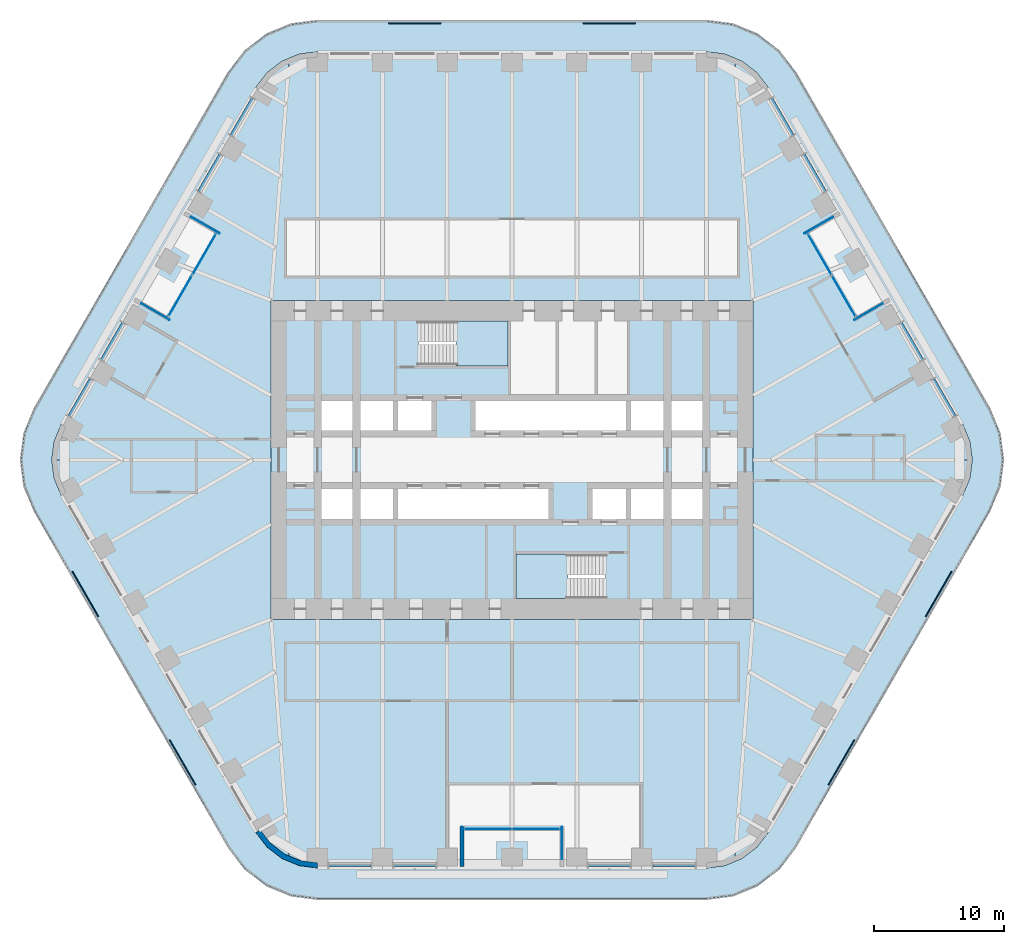
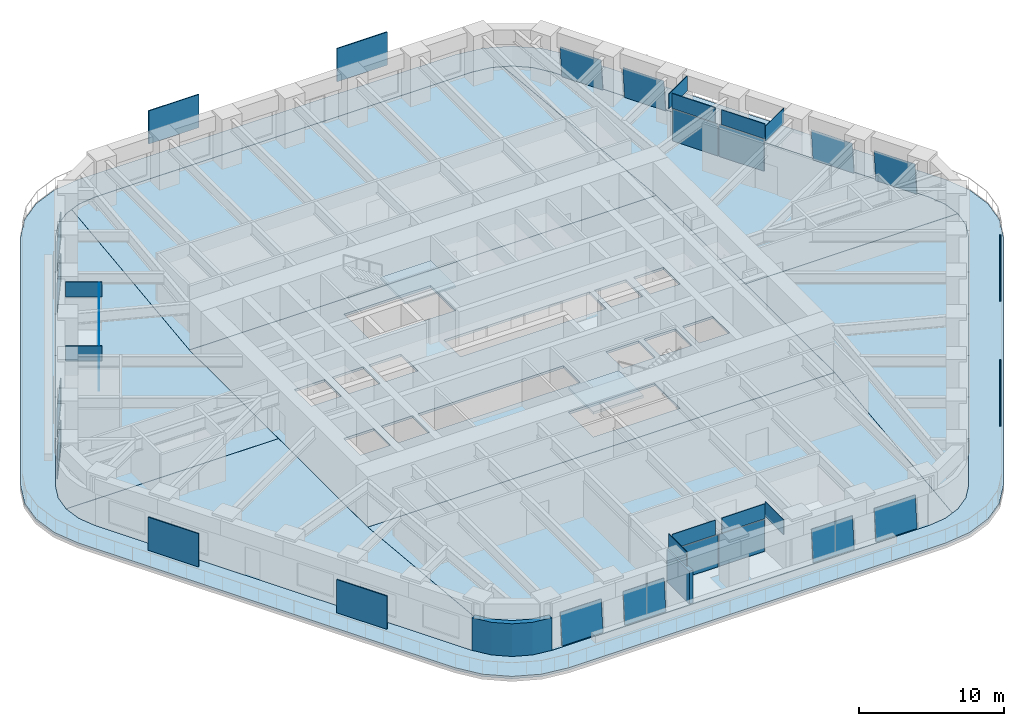
# One storey, part 16 of 24: 36 plates, 10 slabs, 2 walls, 17 elements without a shape of their own.
"""IFC4 building model written with IfcOpenShell, lengths in metres."""

import ifcopenshell
import ifcopenshell.guid

model = None  # the IFC model being written
_history = None  # IfcOwnerHistory: only IFC2X3 demands one
_inside = {}  # id of a spatial element -> (the spatial element, [elements in it])
_under = {}  # id of a project, library or spatial element -> (it, [spatial elements below it])
_declared = {}  # id of a project -> (the project, [libraries it declares])
_typed = {}  # id of a type object -> (the type object, [elements of that type])
_made_of = {}  # id of a material, layer set ... -> (it, [elements and type objects made of it])


def new_model(schema):
    """Start an empty IFC model of exactly this schema.

    Asked for "IFC4X3", IfcOpenShell would pick the latest addendum, in which some entities
    have other attributes; the version numbers below select the first issue.
    IFC2X3 requires an IfcOwnerHistory on every rooted entity: one is made here for all.
    """
    global model, _history
    if schema == "IFC4X3":
        model = ifcopenshell.file(schema_version=(4, 3, 0, 0))
    else:
        model = ifcopenshell.file(schema=schema)
    _inside.clear()
    _under.clear()
    _declared.clear()
    _typed.clear()
    _made_of.clear()
    _history = None
    if model.schema == "IFC2X3":
        org = make("IfcOrganization", Name="unknown")
        user = make(
            "IfcPersonAndOrganization",
            ThePerson=make("IfcPerson", FamilyName="unknown"),
            TheOrganization=org,
        )
        app = make(
            "IfcApplication",
            ApplicationDeveloper=org,
            Version="unknown",
            ApplicationFullName="unknown",
            ApplicationIdentifier="unknown",
        )
        _history = make(
            "IfcOwnerHistory",
            OwningUser=user,
            OwningApplication=app,
            ChangeAction="ADDED",
            CreationDate=0,
        )
    return model


def make(cls, **values):
    """One entity of the class cls with the attributes given. An attribute that is None is left unset."""
    return model.create_entity(
        cls, **{name: value for name, value in values.items() if value is not None}
    )


def rooted(cls, **values):
    """An entity with a GlobalId (a new one), such as an element, a storey or a relation."""
    return make(cls, GlobalId=ifcopenshell.guid.new(), OwnerHistory=_history, **values)


def si_unit(unit_type, name, prefix=None):
    """IfcSIUnit, for example si_unit("LENGTHUNIT", "METRE", prefix="MILLI")."""
    return make("IfcSIUnit", UnitType=unit_type, Prefix=prefix, Name=name)


def assignment(units):
    """IfcUnitAssignment: the units of a project."""
    return None if units is None else make("IfcUnitAssignment", Units=units)


def point(xyz):
    """IfcCartesianPoint."""
    return None if xyz is None else make("IfcCartesianPoint", Coordinates=xyz)


def direction(xyz):
    """IfcDirection."""
    return None if xyz is None else make("IfcDirection", DirectionRatios=xyz)


def frame(location, z_axis=None, x_axis=None):
    """IfcAxis2Placement3D, a coordinate frame: its origin and axes. An axis left out is left unset."""
    return make(
        "IfcAxis2Placement3D",
        Location=point(location),
        Axis=direction(z_axis),
        RefDirection=direction(x_axis),
    )


def frame_2d(location, x_axis=None):
    """IfcAxis2Placement2D, a coordinate frame in the plane: its origin and x axis."""
    return make(
        "IfcAxis2Placement2D", Location=point(location), RefDirection=direction(x_axis)
    )


def origin():
    """The frame at (0, 0, 0) with its axes left unset."""
    return frame((0.0, 0.0, 0.0))


def origin_2d():
    """The frame at (0, 0) in the plane with its x axis left unset."""
    return frame_2d((0.0, 0.0))


def place(relative_to, where):
    """IfcLocalPlacement: puts the frame where relative to a parent placement (None: the world)."""
    return make(
        "IfcLocalPlacement", PlacementRelTo=relative_to, RelativePlacement=where
    )


def context(
    kind, dimensions, precision=None, world=None, true_north=None, identifier=None
):
    """IfcGeometricRepresentationContext, for example the 3D "Model" context."""
    return make(
        "IfcGeometricRepresentationContext",
        ContextIdentifier=identifier,
        ContextType=kind,
        CoordinateSpaceDimension=dimensions,
        Precision=precision,
        WorldCoordinateSystem=world,
        TrueNorth=true_north,
    )


def subcontext(parent, identifier, kind, view, scale=None):
    """IfcGeometricRepresentationSubContext, for example "Body" below "Model"."""
    return make(
        "IfcGeometricRepresentationSubContext",
        ContextIdentifier=identifier,
        ContextType=kind,
        ParentContext=parent,
        TargetScale=scale,
        TargetView=view,
    )


def project(units=None, contexts=None):
    """IfcProject with its units and contexts."""
    return rooted(
        "IfcProject",
        Name="project",
        RepresentationContexts=contexts,
        UnitsInContext=assignment(units),
    )


def spatial(cls, under=None, at=None, **own):
    """A site, building, storey or space (cls), placed at a placement, below another one or the project."""
    s = rooted(cls, ObjectPlacement=at, **own)
    if under is not None:
        _under.setdefault(under.id(), (under, []))[1].append(s)
    return s


def polyline(points):
    """IfcPolyline through the points."""
    return make("IfcPolyline", Points=[point(p) for p in points])


def profile(cls, at=None, kind="AREA", **sizes):
    """A parametric profile (cls). Its sizes go by their IFC names, for example OverallWidth=200.0."""
    return make(cls, ProfileType=kind, Position=at, **sizes)


def rectangle(**sizes):
    """IfcRectangleProfileDef."""
    return profile("IfcRectangleProfileDef", **sizes)


def outline(outer, holes=None, kind="AREA"):
    """IfcArbitraryClosedProfileDef: a profile drawn as a closed curve; with holes, ...WithVoids."""
    if holes is None:
        return make("IfcArbitraryClosedProfileDef", ProfileType=kind, OuterCurve=outer)
    return make(
        "IfcArbitraryProfileDefWithVoids",
        ProfileType=kind,
        OuterCurve=outer,
        InnerCurves=holes,
    )


def extrude(swept, where, along, depth):
    """IfcExtrudedAreaSolid: the profile swept, set in the frame where, extruded along a direction by depth."""
    return make(
        "IfcExtrudedAreaSolid",
        SweptArea=swept,
        Position=where,
        ExtrudedDirection=direction(along),
        Depth=depth,
    )


def shape(context_of_items, identifier, shape_type, items):
    """IfcShapeRepresentation: the items that make up one representation, for example the "Body"."""
    return make(
        "IfcShapeRepresentation",
        ContextOfItems=context_of_items,
        RepresentationIdentifier=identifier,
        RepresentationType=shape_type,
        Items=items,
    )


def material(Name=None, Category=None):
    """IfcMaterial."""
    return make("IfcMaterial", Name=Name, Category=Category)


def layer(
    of_material, thickness, ventilated=None, Name=None, Category=None, Priority=None
):
    """IfcMaterialLayer: one layer of a wall or slab, of a material (None: an air gap)."""
    return make(
        "IfcMaterialLayer",
        Material=of_material,
        LayerThickness=thickness,
        IsVentilated=ventilated,
        Name=Name,
        Category=Category,
        Priority=Priority,
    )


def layer_set(layers, Name=None):
    """IfcMaterialLayerSet."""
    return make("IfcMaterialLayerSet", MaterialLayers=layers, LayerSetName=Name)


def made_of(thing, what):
    """Note that an element or type object is made of a material, layer set ...; save() writes the relation."""
    if what is not None:
        _made_of.setdefault(what.id(), (what, []))[1].append(thing)
    return thing


def type_object(cls, material=None, **own):
    """A type object (cls), such as IfcWallType, which elements share."""
    return made_of(rooted(cls, **own), material)


def element(
    cls,
    number,
    at=None,
    inside=None,
    cuts=None,
    type_object=None,
    material=None,
    context=None,
    identifier="Body",
    shape_type=None,
    held_by="IfcProductDefinitionShape",
    body=None,
    shapes=None,
    **own,
):
    """One element of the class cls, such as IfcWall. Its Tag is "e" and its number.

    at: its placement. inside: the storey or other place that contains it. cuts: it is an
    opening in that element (IfcRelVoidsElement). A single representation is given by context,
    identifier, shape_type and body (its items); several are given by shapes. held_by: the class
    of the entity that holds the representations. save() writes the other relations.
    """
    e = rooted(cls, Tag="e%d" % number, ObjectPlacement=at, **own)
    if body is not None:
        shapes = [shape(context, identifier, shape_type, body)]
    if shapes is not None:
        e.Representation = make(held_by, Representations=shapes)
    if inside is not None:
        _inside.setdefault(inside.id(), (inside, []))[1].append(e)
    if cuts is not None:
        rooted(
            "IfcRelVoidsElement", RelatingBuildingElement=cuts, RelatedOpeningElement=e
        )
    if type_object is not None:
        _typed.setdefault(type_object.id(), (type_object, []))[1].append(e)
    return made_of(e, material)


def aggregate(whole, parts):
    """IfcRelAggregates: a whole, such as a stair, and the parts it consists of."""
    return rooted("IfcRelAggregates", RelatingObject=whole, RelatedObjects=parts)


def save(model, path):
    """Write the relations noted so far, then the file.

    IfcRelAggregates (storeys below a building ...), IfcRelContainedInSpatialStructure (elements
    in a storey), IfcRelDefinesByType, IfcRelAssociatesMaterial and IfcRelDeclares: one each for
    every whole, place, type object, material and project.
    """
    for whole, parts in _under.values():
        aggregate(whole, parts)
    for where, things in _inside.values():
        rooted(
            "IfcRelContainedInSpatialStructure",
            RelatedElements=things,
            RelatingStructure=where,
        )
    for kind, things in _typed.values():
        rooted("IfcRelDefinesByType", RelatedObjects=things, RelatingType=kind)
    for what, things in _made_of.values():
        rooted("IfcRelAssociatesMaterial", RelatedObjects=things, RelatingMaterial=what)
    for by, libraries in _declared.values():
        rooted("IfcRelDeclares", RelatingContext=by, RelatedDefinitions=libraries)
    model.write(path)


model = new_model("IFC4")

# Units and contexts
model_context = context("Model", 3, precision=1e-05, world=origin(), true_north=direction((0.0, 1.0)))
body_context = subcontext(model_context, "Body", "Model", "MODEL_VIEW")
ifc_project = project(units=[si_unit("LENGTHUNIT", "METRE"), si_unit("AREAUNIT", "SQUARE_METRE"), si_unit("VOLUMEUNIT", "CUBIC_METRE"), si_unit("PLANEANGLEUNIT", "RADIAN"), si_unit("MASSUNIT", "GRAM", prefix="KILO")], contexts=[model_context])

# Site, building, storey
site_placement = place(None, origin())
site = spatial("IfcSite", under=ifc_project, at=site_placement, CompositionType="ELEMENT")
building_placement = place(site_placement, origin())
building = spatial("IfcBuilding", under=site, at=building_placement, Name="Tarfa Lantern Tower", CompositionType="ELEMENT")
storey_placement = place(building_placement, frame((0.0, 0.0, 178.300048828125)))
storey = spatial("IfcBuildingStorey", under=building, at=storey_placement, Name="L40", CompositionType="ELEMENT", Elevation=178.300048828125)

# Slab
ifc_material_1 = material(Name="Concrete C40/50", Category="concrete")
ifc_layer_1 = layer(ifc_material_1, 0.199951171875)
ifc_layer_set_1 = layer_set([ifc_layer_1], Name="BS2 BALCONY SLAB 200")
slab_type_1 = type_object("IfcSlabType", Name="BS2 BALCONY SLAB 200", PredefinedType="FLOOR", material=ifc_layer_set_1)
slab_1_placement = place(storey_placement, frame((0.0, 0.0, -0.199951171875)))
element("IfcSlab", 1, at=slab_1_placement, inside=storey, type_object=slab_type_1, Name="Balcony L40", PredefinedType="FLOOR", context=body_context, shape_type="SweptSolid", body=[
    extrude(outline(polyline([(36.86376953125, 3.949951171875), (21.852783203125, 29.949951171875), (20.59716796875, 31.586181640625), (18.961181640625, 32.841552734375), (17.0556640625, 33.630859375), (15.010986328125, 33.89990234375), (-15.010986328125, 33.89990234375), (-17.0556640625, 33.630859375), (-18.961181640625, 32.841552734375), (-20.59716796875, 31.586181640625), (-21.852783203125, 29.949951171875), (-36.86376953125, 3.949951171875), (-37.653076171875, 2.044677734375), (-37.922119140625, 0.0), (-37.653076171875, -2.044677734375), (-36.86376953125, -3.949951171875), (-21.852783203125, -29.949951171875), (-20.59716796875, -31.586181640625), (-18.961181640625, -32.841552734375), (-17.0556640625, -33.630859375), (-15.010986328125, -33.89990234375), (15.010986328125, -33.89990234375), (17.0556640625, -33.630859375), (18.961181640625, -32.841552734375), (20.59716796875, -31.586181640625), (21.852783203125, -29.949951171875), (36.86376953125, -3.949951171875), (37.653076171875, -2.044677734375), (37.922119140625, 0.0), (37.653076171875, 2.044677734375), (36.86376953125, 3.949951171875)]), holes=[polyline([(34.785400390625, 2.75), (19.774169921875, 28.75), (18.900146484375, 29.88916015625), (17.760986328125, 30.76318359375), (16.4345703125, 31.3125), (15.010986328125, 31.5), (-15.010986328125, 31.5), (-16.4345703125, 31.3125), (-17.760986328125, 30.76318359375), (-18.900146484375, 29.88916015625), (-19.774169921875, 28.75), (-34.785400390625, 2.75), (-35.334716796875, 1.423583984375), (-35.522216796875, 0.0), (-35.334716796875, -1.423583984375), (-34.785400390625, -2.75), (-19.774169921875, -28.75), (-18.900146484375, -29.88916015625), (-17.760986328125, -30.76318359375), (-16.4345703125, -31.3125), (-15.010986328125, -31.5), (15.010986328125, -31.5), (16.4345703125, -31.3125), (17.760986328125, -30.76318359375), (18.900146484375, -29.88916015625), (19.774169921875, -28.75), (34.785400390625, -2.75), (35.334716796875, -1.423583984375), (35.522216796875, 0.0), (35.334716796875, 1.423583984375), (34.785400390625, 2.75)])]), origin(), (0.0, 0.0, 1.0), 0.199951171875),
])

# Curtain wall, plate
ifc_material_2 = material(Name="Aluminium framed curtain wall", Category="aluminium")
curtain_wall_type_1 = type_object("IfcCurtainWallType", Name="CW2 CANTED GLAZING MID ZONE 2750", PredefinedType="USERDEFINED", material=ifc_material_2)
curtain_wall_1_placement = place(storey_placement, origin())
curtain_wall_1 = element("IfcCurtainWall", 2, at=curtain_wall_1_placement, inside=storey, type_object=curtain_wall_type_1, Name="CW2 NE L40", ObjectType="CURTAIN WALL", PredefinedType="USERDEFINED")
ifc_material_3 = material(Name="Laminated double glazing", Category="glass")
ifc_layer_2 = layer(ifc_material_3, 0.028076171875)
ifc_layer_set_2 = layer_set([ifc_layer_2], Name="CWP1 DOUBLE GLAZED PANEL")
plate_type_1 = type_object("IfcPlateType", Name="CWP1 DOUBLE GLAZED PANEL", PredefinedType="CURTAIN_PANEL", material=ifc_layer_set_2)
plate_1_placement = place(storey_placement, frame((34.266357421875, 3.44921875, 0.0), z_axis=(0.862441677575, 0.497990996223, 0.09055009919), x_axis=(-0.500045231271, 0.865999287923, 0.0)))
plate_1 = element("IfcPlate", 3, at=plate_1_placement, type_object=plate_type_1, Name="CW2 panel 1.1", PredefinedType="CURTAIN_PANEL", context=body_context, shape_type="SweptSolid", body=[
    extrude(outline(polyline([(0.0, 0.0), (3.2736296403891254, -2.7755575615628914e-17), (3.273639290369484, 2.696134580088432), (9.64998035858606e-06, 2.696134580088432), (0.0, 0.0)])), origin(), (0.0, 0.0, -1.0), 0.028076171875),
])
aggregate(curtain_wall_1, [plate_1])

curtain_wall_2_placement = place(storey_placement, origin())
curtain_wall_2 = element("IfcCurtainWall", 4, at=curtain_wall_2_placement, inside=storey, type_object=curtain_wall_type_1, Name="CW2 NE L40", ObjectType="CURTAIN WALL", PredefinedType="USERDEFINED")
plate_2_placement = place(storey_placement, frame((31.764404296875, 7.782470703125, 0.0), z_axis=(0.862479387985, 0.497932752669, 0.090511209914), x_axis=(-0.499985201727, 0.866033947398, 2.910741e-06)))
plate_2 = element("IfcPlate", 5, at=plate_2_placement, type_object=plate_type_1, Name="CW2 panel 1.1", PredefinedType="CURTAIN_PANEL", context=body_context, shape_type="SweptSolid", body=[
    extrude(outline(polyline([(0.0, 0.0), (3.2738410665798376, 0.0), (3.273719542684435, 2.696115441250439), (5.428042382078573e-07, 2.696134578050012), (0.0, 0.0)])), origin(), (0.0, 0.0, -1.0), 0.028076171875),
])
aggregate(curtain_wall_2, [plate_2])

curtain_wall_3_placement = place(storey_placement, origin())
curtain_wall_3 = element("IfcCurtainWall", 6, at=curtain_wall_3_placement, inside=storey, type_object=curtain_wall_type_1, Name="CW2 NEB L40", ObjectType="CURTAIN WALL", PredefinedType="USERDEFINED")
plate_3_placement = place(storey_placement, frame((24.2587890625, 20.782470703125, 0.0), z_axis=(0.862492405459, 0.49790313323, 0.090550099086), x_axis=(-0.499957005835, 0.866050225054, 0.0)))
plate_3 = element("IfcPlate", 7, at=plate_3_placement, type_object=plate_type_1, Name="CW2 panel 1.1", PredefinedType="CURTAIN_PANEL", context=body_context, shape_type="SweptSolid", body=[
    extrude(outline(polyline([(0.0, 0.0), (3.273719001629088, 0.0), (3.2737037805661293, 2.6961345800627363), (-1.5221062958495346e-05, 2.6961345800627363), (0.0, 0.0)])), origin(), (0.0, 0.0, -1.0), 0.028076171875),
])
aggregate(curtain_wall_3, [plate_3])

curtain_wall_4_placement = place(storey_placement, origin())
curtain_wall_4 = element("IfcCurtainWall", 8, at=curtain_wall_4_placement, inside=storey, type_object=curtain_wall_type_1, Name="CW2 NEB L40", ObjectType="CURTAIN WALL", PredefinedType="USERDEFINED")
plate_4_placement = place(storey_placement, frame((21.757080078125, 25.11572265625, 0.0), z_axis=(0.862460247027, 0.49795883547, 0.09055009926), x_axis=(-0.500012937857, 0.86601793398, 0.0)))
plate_4 = element("IfcPlate", 9, at=plate_4_placement, type_object=plate_type_1, Name="CW2 panel 1.1", PredefinedType="CURTAIN_PANEL", context=body_context, shape_type="SweptSolid", body=[
    extrude(outline(polyline([(0.0, 0.0), (3.2738410682727324, -2.7755575615628914e-17), (3.27384161446276, 2.6961345801056464), (5.461900275667914e-07, 2.6961345801056464), (0.0, 0.0)])), origin(), (0.0, 0.0, -1.0), 0.028076171875),
])
aggregate(curtain_wall_4, [plate_4])

# Curtain wall, plates
curtain_wall_type_2 = type_object("IfcCurtainWallType", Name="CW10 LOGGIA GLAZING 2750", PredefinedType="USERDEFINED", material=ifc_material_2)
curtain_wall_5_placement = place(storey_placement, origin())
curtain_wall_5 = element("IfcCurtainWall", 10, at=curtain_wall_5_placement, inside=storey, type_object=curtain_wall_type_2, Name="CW10 NEL L40", ObjectType="CURTAIN WALL", PredefinedType="USERDEFINED")
plate_5_placement = place(storey_placement, frame((25.599609375, 12.660400390625, 0.0), z_axis=(0.0, 0.0, 1.0), x_axis=(-0.5, 0.866025403784, 0.0)))
plate_5 = element("IfcPlate", 11, at=plate_5_placement, type_object=plate_type_1, Name="CW10 panel 1.1", PredefinedType="CURTAIN_PANEL", context=body_context, shape_type="SweptSolid", body=[
    extrude(rectangle(XDim=3.606201171875, YDim=0.028076171875, at=origin_2d()), origin(), (0.0, 0.0, 1.0), 2.68505859375),
])
plate_6_placement = place(storey_placement, frame((23.763916015625, 15.839599609375, 0.0), z_axis=(0.0, 0.0, 1.0), x_axis=(-0.5, 0.866025403784, 0.0)))
plate_6 = element("IfcPlate", 12, at=plate_6_placement, type_object=plate_type_1, Name="CW10 panel 2.1", PredefinedType="CURTAIN_PANEL", context=body_context, shape_type="SweptSolid", body=[
    extrude(rectangle(XDim=3.606201171875, YDim=0.028076171875, at=origin_2d()), origin(), (0.0, 0.0, 1.0), 2.68505859375),
])
aggregate(curtain_wall_5, [plate_5, plate_6])

# Curtain wall, plate
curtain_wall_6_placement = place(storey_placement, origin())
curtain_wall_6 = element("IfcCurtainWall", 13, at=curtain_wall_6_placement, inside=storey, type_object=curtain_wall_type_1, Name="CW2 NW L40", ObjectType="CURTAIN WALL", PredefinedType="USERDEFINED")
plate_7_placement = place(storey_placement, frame((-20.1201171875, 27.950927734375, 0.0), z_axis=(-0.862460247027, 0.49795883547, 0.09055009926), x_axis=(-0.500012937857, -0.86601793398, 0.0)))
plate_7 = element("IfcPlate", 14, at=plate_7_placement, type_object=plate_type_1, Name="CW2 panel 1.1", PredefinedType="CURTAIN_PANEL", context=body_context, shape_type="SweptSolid", body=[
    extrude(outline(polyline([(0.0, 0.0), (3.2738410682727324, 2.7755575615628914e-17), (3.273840522082705, 2.6961345801056464), (-5.461900275667914e-07, 2.6961345801056464), (0.0, 0.0)])), origin(), (0.0, 0.0, -1.0), 0.028076171875),
])
aggregate(curtain_wall_6, [plate_7])

curtain_wall_7_placement = place(storey_placement, origin())
curtain_wall_7 = element("IfcCurtainWall", 15, at=curtain_wall_7_placement, inside=storey, type_object=curtain_wall_type_1, Name="CW2 NW L40", ObjectType="CURTAIN WALL", PredefinedType="USERDEFINED")
plate_8_placement = place(storey_placement, frame((-22.6220703125, 23.61767578125, 0.0), z_axis=(-0.862492405459, 0.49790313323, 0.090550099086), x_axis=(-0.499957005835, -0.866050225054, 0.0)))
plate_8 = element("IfcPlate", 16, at=plate_8_placement, type_object=plate_type_1, Name="CW2 panel 1.1", PredefinedType="CURTAIN_PANEL", context=body_context, shape_type="SweptSolid", body=[
    extrude(outline(polyline([(0.0, 0.0), (3.273719001629088, 0.0), (3.2737342226920463, 2.6961345800627363), (1.5221062958495346e-05, 2.6961345800627363), (0.0, 0.0)])), origin(), (0.0, 0.0, -1.0), 0.028076171875),
])
aggregate(curtain_wall_7, [plate_8])

curtain_wall_8_placement = place(storey_placement, origin())
curtain_wall_8 = element("IfcCurtainWall", 17, at=curtain_wall_8_placement, inside=storey, type_object=curtain_wall_type_1, Name="CW2 NWB L40", ObjectType="CURTAIN WALL", PredefinedType="USERDEFINED")
plate_9_placement = place(storey_placement, frame((-30.12744140625, 10.61767578125, 0.0), z_axis=(-0.862479387985, 0.497932752669, 0.090511209914), x_axis=(-0.499985201727, -0.866033947398, -2.910741e-06)))
plate_9 = element("IfcPlate", 18, at=plate_9_placement, type_object=plate_type_1, Name="CW2 panel 1.1", PredefinedType="CURTAIN_PANEL", context=body_context, shape_type="SweptSolid", body=[
    extrude(outline(polyline([(0.0, 0.0), (3.2738410665798376, 0.0), (3.2738405237755996, 2.696134578050012), (0.00012152389540222507, 2.6961154412504387), (0.0, 0.0)])), origin(), (0.0, 0.0, -1.0), 0.028076171875),
])
aggregate(curtain_wall_8, [plate_9])

curtain_wall_9_placement = place(storey_placement, origin())
curtain_wall_9 = element("IfcCurtainWall", 19, at=curtain_wall_9_placement, inside=storey, type_object=curtain_wall_type_1, Name="CW2 NWB L40", ObjectType="CURTAIN WALL", PredefinedType="USERDEFINED")
plate_10_placement = place(storey_placement, frame((-32.62939453125, 6.2841796875, 0.0), z_axis=(-0.862441677575, 0.497990996223, 0.09055009919), x_axis=(-0.500045231271, -0.865999287923, 0.0)))
plate_10 = element("IfcPlate", 20, at=plate_10_placement, type_object=plate_type_1, Name="CW2 panel 1.1", PredefinedType="CURTAIN_PANEL", context=body_context, shape_type="SweptSolid", body=[
    extrude(outline(polyline([(0.0, 0.0), (3.2736296403891254, 2.7755575615628914e-17), (3.273619990408767, 2.696134580088432), (-9.64998035858606e-06, 2.696134580088432), (0.0, 0.0)])), origin(), (0.0, 0.0, -1.0), 0.028076171875),
])
aggregate(curtain_wall_9, [plate_10])

# Curtain wall, plates
curtain_wall_10_placement = place(storey_placement, origin())
curtain_wall_10 = element("IfcCurtainWall", 21, at=curtain_wall_10_placement, inside=storey, type_object=curtain_wall_type_2, Name="CW10 NWL L40", ObjectType="CURTAIN WALL", PredefinedType="USERDEFINED")
plate_11_placement = place(storey_placement, frame((-23.763916015625, 15.839599609375, 0.0), z_axis=(0.0, 0.0, 1.0), x_axis=(-0.5, -0.866025403784, 0.0)))
plate_11 = element("IfcPlate", 22, at=plate_11_placement, type_object=plate_type_1, Name="CW10 panel 1.1", PredefinedType="CURTAIN_PANEL", context=body_context, shape_type="SweptSolid", body=[
    extrude(rectangle(XDim=3.606201171875, YDim=0.028076171875, at=origin_2d()), origin(), (0.0, 0.0, 1.0), 2.68505859375),
])
plate_12_placement = place(storey_placement, frame((-25.599609375, 12.660400390625, 0.0), z_axis=(0.0, 0.0, 1.0), x_axis=(-0.5, -0.866025403784, 0.0)))
plate_12 = element("IfcPlate", 23, at=plate_12_placement, type_object=plate_type_1, Name="CW10 panel 2.1", PredefinedType="CURTAIN_PANEL", context=body_context, shape_type="SweptSolid", body=[
    extrude(rectangle(XDim=3.606201171875, YDim=0.028076171875, at=origin_2d()), origin(), (0.0, 0.0, 1.0), 2.68505859375),
])
aggregate(curtain_wall_10, [plate_11, plate_12])

# Curtain wall, plate
curtain_wall_11_placement = place(storey_placement, origin())
curtain_wall_11 = element("IfcCurtainWall", 24, at=curtain_wall_11_placement, inside=storey, type_object=curtain_wall_type_1, Name="CW2 S L40", ObjectType="CURTAIN WALL", PredefinedType="USERDEFINED")
plate_13_placement = place(storey_placement, frame((-14.14599609375, -31.39990234375, 0.0), z_axis=(0.0, -0.995899883883, 0.090462264412), x_axis=(1.0, 0.0, 0.0)))
plate_13 = element("IfcPlate", 25, at=plate_13_placement, type_object=plate_type_1, Name="CW2 panel 1.1", PredefinedType="CURTAIN_PANEL", context=body_context, shape_type="SweptSolid", body=[
    extrude(outline(polyline([(0.0, 0.0), (3.273681640625, 0.0), (3.273681640625, 2.6961129699923947), (0.0, 2.6961129699923947), (0.0, 0.0)])), origin(), (0.0, 0.0, -1.0), 0.028076171875),
])
aggregate(curtain_wall_11, [plate_13])

curtain_wall_12_placement = place(storey_placement, origin())
curtain_wall_12 = element("IfcCurtainWall", 26, at=curtain_wall_12_placement, inside=storey, type_object=curtain_wall_type_1, Name="CW2 S L40", ObjectType="CURTAIN WALL", PredefinedType="USERDEFINED")
plate_14_placement = place(storey_placement, frame((-9.142333984375, -31.39990234375, 0.0), z_axis=(0.0, -0.995899883883, 0.090462264412), x_axis=(1.0, 0.0, 0.0)))
plate_14 = element("IfcPlate", 27, at=plate_14_placement, type_object=plate_type_1, Name="CW2 panel 1.1", PredefinedType="CURTAIN_PANEL", context=body_context, shape_type="SweptSolid", body=[
    extrude(outline(polyline([(0.0, 0.0), (3.273681640625, 0.0), (3.273681640625, 2.6961129699923947), (0.0, 2.6961129699923947), (0.0, 0.0)])), origin(), (0.0, 0.0, -1.0), 0.028076171875),
])
aggregate(curtain_wall_12, [plate_14])

curtain_wall_13_placement = place(storey_placement, origin())
curtain_wall_13 = element("IfcCurtainWall", 28, at=curtain_wall_13_placement, inside=storey, type_object=curtain_wall_type_1, Name="CW2 SB L40", ObjectType="CURTAIN WALL", PredefinedType="USERDEFINED")
plate_15_placement = place(storey_placement, frame((5.86865234375, -31.39990234375, 0.0), z_axis=(0.0, -0.995899883883, 0.090462264412), x_axis=(1.0, 0.0, 0.0)))
plate_15 = element("IfcPlate", 29, at=plate_15_placement, type_object=plate_type_1, Name="CW2 panel 1.1", PredefinedType="CURTAIN_PANEL", context=body_context, shape_type="SweptSolid", body=[
    extrude(outline(polyline([(0.0, 0.0), (3.273681640625, 0.0), (3.273681640625, 2.6961129699923947), (0.0, 2.6961129699923947), (0.0, 0.0)])), origin(), (0.0, 0.0, -1.0), 0.028076171875),
])
aggregate(curtain_wall_13, [plate_15])

curtain_wall_14_placement = place(storey_placement, origin())
curtain_wall_14 = element("IfcCurtainWall", 30, at=curtain_wall_14_placement, inside=storey, type_object=curtain_wall_type_1, Name="CW2 SB L40", ObjectType="CURTAIN WALL", PredefinedType="USERDEFINED")
plate_16_placement = place(storey_placement, frame((10.872314453125, -31.39990234375, 0.0), z_axis=(0.0, -0.995899883883, 0.090462264412), x_axis=(1.0, 0.0, 0.0)))
plate_16 = element("IfcPlate", 31, at=plate_16_placement, type_object=plate_type_1, Name="CW2 panel 1.1", PredefinedType="CURTAIN_PANEL", context=body_context, shape_type="SweptSolid", body=[
    extrude(outline(polyline([(0.0, 0.0), (3.273681640625, 0.0), (3.273681640625, 2.6961129699923947), (0.0, 2.6961129699923947), (0.0, 0.0)])), origin(), (0.0, 0.0, -1.0), 0.028076171875),
])
aggregate(curtain_wall_14, [plate_16])

# Curtain wall, plates
curtain_wall_15_placement = place(storey_placement, origin())
curtain_wall_15 = element("IfcCurtainWall", 32, at=curtain_wall_15_placement, inside=storey, type_object=curtain_wall_type_2, Name="CW10 SL L40", ObjectType="CURTAIN WALL", PredefinedType="USERDEFINED")
plate_17_placement = place(storey_placement, frame((-1.835693359375, -28.5, 0.0), z_axis=(0.0, 0.0, 1.0), x_axis=(1.0, 0.0, 0.0)))
plate_17 = element("IfcPlate", 33, at=plate_17_placement, type_object=plate_type_1, Name="CW10 panel 1.1", PredefinedType="CURTAIN_PANEL", context=body_context, shape_type="SweptSolid", body=[
    extrude(rectangle(XDim=3.606201171875, YDim=0.028076171875, at=origin_2d()), origin(), (0.0, 0.0, 1.0), 2.68505859375),
])
plate_18_placement = place(storey_placement, frame((1.835693359375, -28.5, 0.0), z_axis=(0.0, 0.0, 1.0), x_axis=(1.0, 0.0, 0.0)))
plate_18 = element("IfcPlate", 34, at=plate_18_placement, type_object=plate_type_1, Name="CW10 panel 2.1", PredefinedType="CURTAIN_PANEL", context=body_context, shape_type="SweptSolid", body=[
    extrude(rectangle(XDim=3.606201171875, YDim=0.028076171875, at=origin_2d()), origin(), (0.0, 0.0, 1.0), 2.68505859375),
])
aggregate(curtain_wall_15, [plate_17, plate_18])

# Slabs
ifc_layer_3 = layer(ifc_material_1, 0.199951171875)
ifc_layer_set_3 = layer_set([ifc_layer_3], Name="FS1 FLOOR SLAB 200")
slab_type_2 = type_object("IfcSlabType", Name="FS1 FLOOR SLAB 200", PredefinedType="FLOOR", material=ifc_layer_set_3)
slab_2_placement = place(storey_placement, frame((0.0, 0.0, -0.199951171875)))
element("IfcSlab", 35, at=slab_2_placement, inside=storey, type_object=slab_type_2, Name="Floor slab L40", PredefinedType="FLOOR", context=body_context, shape_type="SweptSolid", body=[
    extrude(outline(polyline([(-18.60009765625, -12.300048828125), (18.60009765625, -12.300048828125), (18.60009765625, 12.300048828125), (-18.60009765625, 12.300048828125), (-18.60009765625, -12.300048828125)]), holes=[polyline([(-14.699951171875, 2.25), (-12.300048828125, 2.25), (-12.300048828125, 4.550048828125), (-14.699951171875, 4.550048828125), (-14.699951171875, 2.25)]), polyline([(-11.699951171875, 2.25), (-9.199951171875, 2.25), (-9.199951171875, 4.550048828125), (-11.699951171875, 4.550048828125), (-11.699951171875, 2.25)]), polyline([(-8.800048828125, 2.25), (-6.199951171875, 2.25), (-6.199951171875, 4.550048828125), (-8.800048828125, 4.550048828125), (-8.800048828125, 2.25)]), polyline([(-2.800048828125, 2.25), (8.800048828125, 2.25), (8.800048828125, 4.550048828125), (-2.800048828125, 4.550048828125), (-2.800048828125, 2.25)]), polyline([(9.199951171875, 2.25), (11.699951171875, 2.25), (11.699951171875, 4.550048828125), (9.199951171875, 4.550048828125), (9.199951171875, 2.25)]), polyline([(12.300048828125, 2.25), (14.699951171875, 2.25), (14.699951171875, 4.550048828125), (12.300048828125, 4.550048828125), (12.300048828125, 2.25)]), polyline([(14.699951171875, -2.25), (12.300048828125, -2.25), (12.300048828125, -4.550048828125), (14.699951171875, -4.550048828125), (14.699951171875, -2.25)]), polyline([(11.699951171875, -2.25), (9.199951171875, -2.25), (9.199951171875, -4.550048828125), (11.699951171875, -4.550048828125), (11.699951171875, -2.25)]), polyline([(8.800048828125, -2.25), (6.199951171875, -2.25), (6.199951171875, -4.550048828125), (8.800048828125, -4.550048828125), (8.800048828125, -2.25)]), polyline([(2.800048828125, -2.25), (-8.800048828125, -2.25), (-8.800048828125, -4.550048828125), (2.800048828125, -4.550048828125), (2.800048828125, -2.25)]), polyline([(-9.199951171875, -2.25), (-11.699951171875, -2.25), (-11.699951171875, -4.550048828125), (-9.199951171875, -4.550048828125), (-9.199951171875, -2.25)]), polyline([(-12.300048828125, -2.25), (-14.699951171875, -2.25), (-14.699951171875, -4.550048828125), (-12.300048828125, -4.550048828125), (-12.300048828125, -2.25)]), polyline([(-7.199951171875, 7.25), (-0.300048828125, 7.25), (-0.300048828125, 10.699951171875), (-7.199951171875, 10.699951171875), (-7.199951171875, 7.25)]), polyline([(7.199951171875, -7.25), (0.300048828125, -7.25), (0.300048828125, -10.699951171875), (7.199951171875, -10.699951171875), (7.199951171875, -7.25)])]), origin(), (0.0, 0.0, 1.0), 0.199951171875),
])
slab_3_placement = place(storey_placement, frame((0.0, 0.0, -0.199951171875)))
element("IfcSlab", 36, at=slab_3_placement, inside=storey, type_object=slab_type_2, Name="Floor slab L40 NE bay", PredefinedType="FLOOR", context=body_context, shape_type="SweptSolid", body=[
    extrude(outline(polyline([(34.783447265625, 2.7490234375), (19.7724609375, 28.748779296875), (18.898681640625, 29.8876953125), (17.760009765625, 30.761474609375), (17.19189453125, 30.996826171875), (18.60205078125, 12.300048828125), (18.60205078125, 0.001953125), (35.52001953125, 0.001953125), (35.332763671875, 1.423095703125), (34.783447265625, 2.7490234375)])), origin(), (0.0, 0.0, 1.0), 0.199951171875),
])
slab_4_placement = place(storey_placement, frame((0.0, 0.0, -0.199951171875)))
element("IfcSlab", 37, at=slab_4_placement, inside=storey, type_object=slab_type_2, Name="Floor slab L40 N bay", PredefinedType="FLOOR", context=body_context, shape_type="SweptSolid", body=[
    extrude(outline(polyline([(-18.597900390625, 12.302001953125), (18.597900390625, 12.302001953125), (17.187744140625, 30.99853515625), (16.43408203125, 31.310546875), (15.010986328125, 31.498046875), (-15.010986328125, 31.498046875), (-16.43408203125, 31.310546875), (-17.187744140625, 30.99853515625), (-18.597900390625, 12.302001953125)])), origin(), (0.0, 0.0, 1.0), 0.199951171875),
])
slab_5_placement = place(storey_placement, frame((0.0, 0.0, -0.199951171875)))
element("IfcSlab", 38, at=slab_5_placement, inside=storey, type_object=slab_type_2, Name="Floor slab L40 NW bay", PredefinedType="FLOOR", context=body_context, shape_type="SweptSolid", body=[
    extrude(outline(polyline([(-18.60205078125, 0.001953125), (-18.60205078125, 12.300048828125), (-17.19189453125, 30.996826171875), (-17.760009765625, 30.761474609375), (-18.898681640625, 29.8876953125), (-19.7724609375, 28.748779296875), (-34.783447265625, 2.7490234375), (-35.332763671875, 1.423095703125), (-35.52001953125, 0.001953125), (-18.60205078125, 0.001953125)])), origin(), (0.0, 0.0, 1.0), 0.199951171875),
])
slab_6_placement = place(storey_placement, frame((0.0, 0.0, -0.199951171875)))
element("IfcSlab", 39, at=slab_6_placement, inside=storey, type_object=slab_type_2, Name="Floor slab L40 SW bay", PredefinedType="FLOOR", context=body_context, shape_type="SweptSolid", body=[
    extrude(outline(polyline([(-18.60205078125, -12.300048828125), (-18.60205078125, -0.001953125), (-35.52001953125, -0.001953125), (-35.332763671875, -1.423095703125), (-34.783447265625, -2.7490234375), (-19.7724609375, -28.748779296875), (-18.898681640625, -29.8876953125), (-17.760009765625, -30.761474609375), (-17.19189453125, -30.996826171875), (-18.60205078125, -12.300048828125)])), origin(), (0.0, 0.0, 1.0), 0.199951171875),
])
slab_7_placement = place(storey_placement, frame((0.0, 0.0, -0.199951171875)))
element("IfcSlab", 40, at=slab_7_placement, inside=storey, type_object=slab_type_2, Name="Floor slab L40 S bay", PredefinedType="FLOOR", context=body_context, shape_type="SweptSolid", body=[
    extrude(outline(polyline([(18.597900390625, -12.302001953125), (-18.597900390625, -12.302001953125), (-17.187744140625, -30.99853515625), (-16.43408203125, -31.310546875), (-15.010986328125, -31.498046875), (15.010986328125, -31.498046875), (16.43408203125, -31.310546875), (17.187744140625, -30.99853515625), (18.597900390625, -12.302001953125)])), origin(), (0.0, 0.0, 1.0), 0.199951171875),
])
slab_8_placement = place(storey_placement, frame((0.0, 0.0, -0.199951171875)))
element("IfcSlab", 41, at=slab_8_placement, inside=storey, type_object=slab_type_2, Name="Floor slab L40 SE bay", PredefinedType="FLOOR", context=body_context, shape_type="SweptSolid", body=[
    extrude(outline(polyline([(18.60205078125, -0.001953125), (18.60205078125, -12.300048828125), (17.19189453125, -30.996826171875), (17.760009765625, -30.761474609375), (18.898681640625, -29.8876953125), (19.7724609375, -28.748779296875), (34.783447265625, -2.7490234375), (35.332763671875, -1.423095703125), (35.52001953125, -0.001953125), (18.60205078125, -0.001953125)])), origin(), (0.0, 0.0, 1.0), 0.199951171875),
])

# Plates
ifc_material_4 = material(Name="Aluminium fascia panel", Category="aluminium")
ifc_layer_4 = layer(ifc_material_4, 0.050048828125)
ifc_layer_set_4 = layer_set([ifc_layer_4], Name="LF1 LOGGIA HEAD FASCIA 50")
plate_type_2 = type_object("IfcPlateType", Name="LF1 LOGGIA HEAD FASCIA 50", PredefinedType="USERDEFINED", material=ifc_layer_set_4)
for number, where, z_axis, x_axis, name in (
    (42, (25.670166015625, 12.5380859375, 2.75), (0.0, 0.0, 1.0), (-0.5, 0.866025403784, 0.0), "Loggia head fascia NE"),
    (43, (23.693359375, 15.9619140625, 2.75), (0.0, 0.0, 1.0), (-0.5, 0.866025403784, 0.0), "Loggia head fascia NE"),
):
    element("IfcPlate", number, at=place(storey_placement, frame(where, z_axis=z_axis, x_axis=x_axis)), inside=storey, type_object=plate_type_2, Name=name, ObjectType="FASCIA", PredefinedType="USERDEFINED", context=body_context, shape_type="SweptSolid", body=[
        extrude(rectangle(XDim=3.45361328125, YDim=0.050048828125, at=origin_2d()), origin(), (0.0, 0.0, 1.0), 1.25),
    ])
for number, where, z_axis, x_axis, name in (
    (44, (27.526611328125, 11.442626953125, 2.75), (0.0, 0.0, 1.0), (-0.866025403784, -0.5, 0.0), "Loggia head fascia NE"),
    (45, (23.6728515625, 18.117431640625, 2.75), (0.0, 0.0, 1.0), (-0.866025403784, -0.5, 0.0), "Loggia head fascia NE"),
):
    element("IfcPlate", number, at=place(storey_placement, frame(where, z_axis=z_axis, x_axis=x_axis)), inside=storey, type_object=plate_type_2, Name=name, ObjectType="FASCIA", PredefinedType="USERDEFINED", context=body_context, shape_type="SweptSolid", body=[
        extrude(rectangle(XDim=2.52001953125, YDim=0.050048828125, at=origin_2d()), origin(), (0.0, 0.0, 1.0), 1.25),
    ])
for number, where, z_axis, x_axis, name in (
    (46, (-23.693359375, 15.9619140625, 2.75), (0.0, 0.0, 1.0), (-0.5, -0.866025403784, 0.0), "Loggia head fascia NW"),
    (47, (-25.670166015625, 12.5380859375, 2.75), (0.0, 0.0, 1.0), (-0.5, -0.866025403784, 0.0), "Loggia head fascia NW"),
):
    element("IfcPlate", number, at=place(storey_placement, frame(where, z_axis=z_axis, x_axis=x_axis)), inside=storey, type_object=plate_type_2, Name=name, ObjectType="FASCIA", PredefinedType="USERDEFINED", context=body_context, shape_type="SweptSolid", body=[
        extrude(rectangle(XDim=3.45361328125, YDim=0.050048828125, at=origin_2d()), origin(), (0.0, 0.0, 1.0), 1.25),
    ])
for number, where, z_axis, x_axis, name in (
    (48, (-23.6728515625, 18.117431640625, 2.75), (0.0, 0.0, 1.0), (0.866025403784, -0.5, 0.0), "Loggia head fascia NW"),
    (49, (-27.526611328125, 11.442626953125, 2.75), (0.0, 0.0, 1.0), (0.866025403784, -0.5, 0.0), "Loggia head fascia NW"),
):
    element("IfcPlate", number, at=place(storey_placement, frame(where, z_axis=z_axis, x_axis=x_axis)), inside=storey, type_object=plate_type_2, Name=name, ObjectType="FASCIA", PredefinedType="USERDEFINED", context=body_context, shape_type="SweptSolid", body=[
        extrude(rectangle(XDim=2.52001953125, YDim=0.050048828125, at=origin_2d()), origin(), (0.0, 0.0, 1.0), 1.25),
    ])
for number, where, z_axis, x_axis, name in (
    (50, (-1.976806640625, -28.5, 2.75), (0.0, 0.0, 1.0), (1.0, 0.0, 0.0), "Loggia head fascia S"),
    (51, (1.976806640625, -28.5, 2.75), (0.0, 0.0, 1.0), (1.0, 0.0, 0.0), "Loggia head fascia S"),
):
    element("IfcPlate", number, at=place(storey_placement, frame(where, z_axis=z_axis, x_axis=x_axis)), inside=storey, type_object=plate_type_2, Name=name, ObjectType="FASCIA", PredefinedType="USERDEFINED", context=body_context, shape_type="SweptSolid", body=[
        extrude(rectangle(XDim=3.45361328125, YDim=0.050048828125, at=origin_2d()), origin(), (0.0, 0.0, 1.0), 1.25),
    ])
for number, where, z_axis, x_axis, name in (
    (52, (-3.853759765625, -29.56005859375, 2.75), (0.0, 0.0, 1.0), (0.0, 1.0, 0.0), "Loggia head fascia S"),
    (53, (3.853759765625, -29.56005859375, 2.75), (0.0, 0.0, 1.0), (0.0, 1.0, 0.0), "Loggia head fascia S"),
):
    element("IfcPlate", number, at=place(storey_placement, frame(where, z_axis=z_axis, x_axis=x_axis)), inside=storey, type_object=plate_type_2, Name=name, ObjectType="FASCIA", PredefinedType="USERDEFINED", context=body_context, shape_type="SweptSolid", body=[
        extrude(rectangle(XDim=2.52001953125, YDim=0.050048828125, at=origin_2d()), origin(), (0.0, 0.0, 1.0), 1.25),
    ])
ifc_material_5 = material(Name="Perforated limestone screen", Category="masonry")
ifc_layer_5 = layer(ifc_material_5, 0.080078125)
ifc_layer_set_5 = layer_set([ifc_layer_5], Name="SC1 STONE SCREEN 80")
plate_type_3 = type_object("IfcPlateType", Name="SC1 STONE SCREEN 80", PredefinedType="USERDEFINED", material=ifc_layer_set_5)
for number, where, z_axis, x_axis, name in (
    (54, (7.505615234375, 33.699951171875, 1.19970703125), (0.0, 0.0, 1.0), (-1.0, 0.0, 0.0), "Stone screen N 1"),
    (55, (-7.505615234375, 33.699951171875, 1.19970703125), (0.0, 0.0, 1.0), (-1.0, 0.0, 0.0), "Stone screen N 2"),
    (56, (-32.937744140625, -10.35009765625, 1.19970703125), (0.0, 0.0, 1.0), (0.5, -0.866025403784, 0.0), "Stone screen SW 1"),
    (57, (-25.432373046875, -23.35009765625, 1.19970703125), (0.0, 0.0, 1.0), (0.5, -0.866025403784, 0.0), "Stone screen SW 2"),
    (58, (25.432373046875, -23.35009765625, 1.19970703125), (0.0, 0.0, 1.0), (0.5, 0.866025403784, 0.0), "Stone screen SE 1"),
    (59, (32.937744140625, -10.35009765625, 1.19970703125), (0.0, 0.0, 1.0), (0.5, 0.866025403784, 0.0), "Stone screen SE 2"),
):
    element("IfcPlate", number, at=place(storey_placement, frame(where, z_axis=z_axis, x_axis=x_axis)), inside=storey, type_object=plate_type_3, Name=name, ObjectType="SCREEN", PredefinedType="USERDEFINED", context=body_context, shape_type="SweptSolid", body=[
        extrude(rectangle(XDim=4.0, YDim=0.080078125, at=origin_2d()), origin(), (0.0, 0.0, 1.0), 2.800048828125),
    ])

# Stair, slab
stair_type = type_object("IfcStairType", Name="ST-T10 HALF-TURN STAIR 4200 RISE", PredefinedType="HALF_TURN_STAIR", material=ifc_material_1)
stair_1_placement = place(storey_placement, origin())
stair_1 = element("IfcStair", 60, at=stair_1_placement, inside=storey, type_object=stair_type, Name="Stair ST1", PredefinedType="HALF_TURN_STAIR")
ifc_layer_6 = layer(ifc_material_1, 0.199951171875)
ifc_layer_set_6 = layer_set([ifc_layer_6], Name="SL1 STAIR LANDING 200")
slab_type_3 = type_object("IfcSlabType", Name="SL1 STAIR LANDING 200", PredefinedType="LANDING", material=ifc_layer_set_6)
slab_9_placement = place(storey_placement, frame((0.0, 0.0, 1.89990234375)))
slab_9 = element("IfcSlab", 61, at=slab_9_placement, type_object=slab_type_3, Name="ST1 landing 1", PredefinedType="LANDING", context=body_context, shape_type="SweptSolid", body=[
    extrude(outline(polyline([(-4.320068359375, 7.25), (-0.300048828125, 7.25), (-0.300048828125, 10.699951171875), (-4.320068359375, 10.699951171875), (-4.320068359375, 7.25)])), origin(), (0.0, 0.0, 1.0), 0.199951171875),
])
aggregate(stair_1, [slab_9])

stair_2_placement = place(storey_placement, origin())
stair_2 = element("IfcStair", 62, at=stair_2_placement, inside=storey, type_object=stair_type, Name="Stair ST2", PredefinedType="HALF_TURN_STAIR")
slab_10_placement = place(storey_placement, frame((0.0, 0.0, 1.89990234375)))
slab_10 = element("IfcSlab", 63, at=slab_10_placement, type_object=slab_type_3, Name="ST2 landing 1", PredefinedType="LANDING", context=body_context, shape_type="SweptSolid", body=[
    extrude(outline(polyline([(4.320068359375, -7.25), (0.300048828125, -7.25), (0.300048828125, -10.699951171875), (4.320068359375, -10.699951171875), (4.320068359375, -7.25)])), origin(), (0.0, 0.0, 1.0), 0.199951171875),
])
aggregate(stair_2, [slab_10])

# Walls
ifc_material_6 = material(Name="Limestone cladding on blockwork", Category="masonry")
ifc_layer_7 = layer(ifc_material_6, 0.300048828125)
ifc_layer_set_7 = layer_set([ifc_layer_7], Name="EW1 STONE-CLAD WALL 300")
wall_type_1 = type_object("IfcWallType", Name="EW1 STONE-CLAD WALL 300", PredefinedType="SOLIDWALL", material=ifc_layer_set_7)
wall_1_placement = place(storey_placement, frame((-3.853759765625, -31.39990234375, 0.0), z_axis=(0.0, 0.0, 1.0), x_axis=(0.0, 1.0, 0.0)))
element("IfcWall", 64, at=wall_1_placement, inside=storey, type_object=wall_type_1, Name="Loggia return S 1", PredefinedType="SOLIDWALL", context=body_context, shape_type="SweptSolid", body=[
    extrude(rectangle(XDim=3.099853515625, YDim=0.300048828125, at=frame_2d((1.5498046875, 0.0))), origin(), (0.0, 0.0, 1.0), 2.75),
])
ifc_layer_8 = layer(ifc_material_6, 0.39990234375)
ifc_layer_set_8 = layer_set([ifc_layer_8], Name="EW2 CURVED STONE CORNER 400")
wall_type_2 = type_object("IfcWallType", Name="EW2 CURVED STONE CORNER 400", PredefinedType="SOLIDWALL", material=ifc_layer_set_8)
wall_2_placement = place(storey_placement, origin())
element("IfcWall", 65, at=wall_2_placement, inside=storey, type_object=wall_type_2, Name="Stone corner SW-S", PredefinedType="SOLIDWALL", context=body_context, shape_type="SweptSolid", body=[
    extrude(outline(polyline([(-19.774169921875, -28.75), (-18.900146484375, -29.88916015625), (-17.760986328125, -30.76318359375), (-16.4345703125, -31.3125), (-15.010986328125, -31.5), (-15.010986328125, -31.10009765625), (-16.3310546875, -30.92626953125), (-17.56103515625, -30.416748046875), (-18.617431640625, -29.606201171875), (-19.427734375, -28.550048828125), (-19.774169921875, -28.75)])), origin(), (0.0, 0.0, 1.0), 2.75),
])

save(model, "model.ifc")
